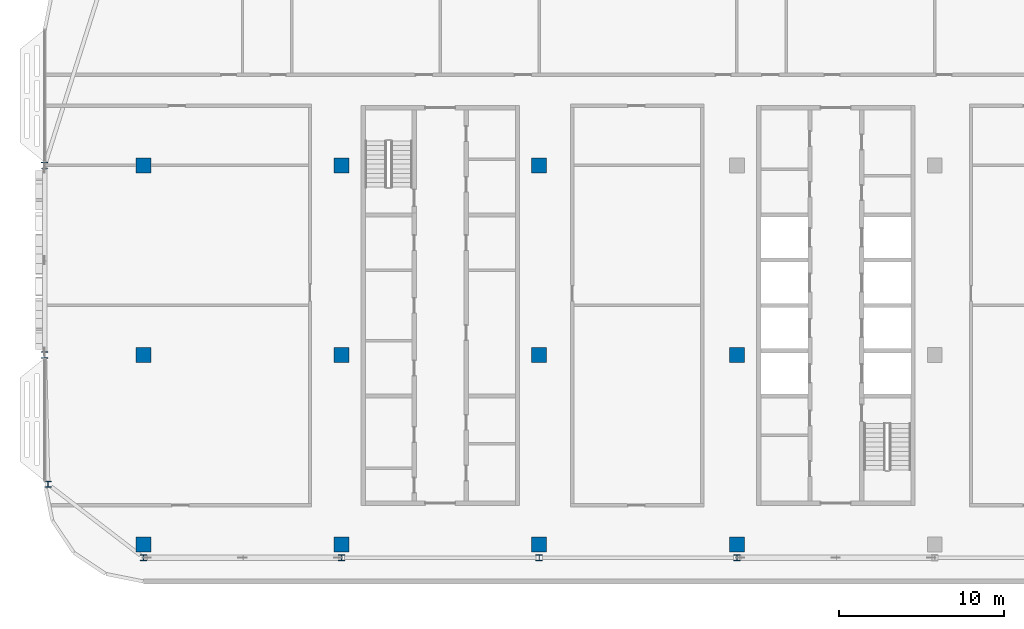
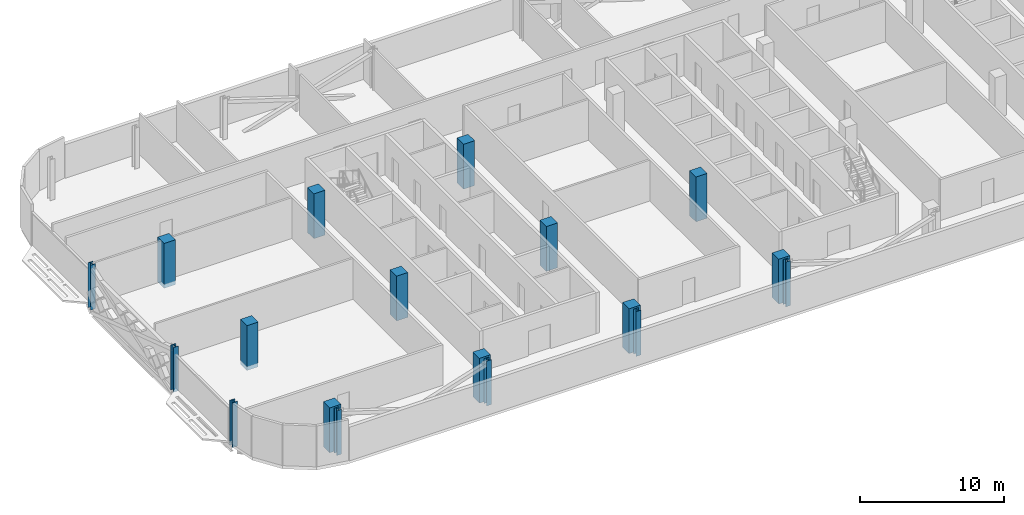
# One storey, part 1 of 28: 18 columns.
"""IFC4 building model written with IfcOpenShell, lengths in metres."""

from ifc_helpers import new_model, si_unit, direction, frame, origin, origin_2d, place, context, subcontext, project, spatial, rectangle, i_section, extrude, material, material_profile, profile_set, type_object, element, save


model = new_model("IFC4")

# Units and contexts
model_context = context("Model", 3, precision=1e-05, world=origin(), true_north=direction((0.0, 1.0)))
body_context = subcontext(model_context, "Body", "Model", "MODEL_VIEW")
ifc_project = project(units=[si_unit("LENGTHUNIT", "METRE"), si_unit("AREAUNIT", "SQUARE_METRE"), si_unit("VOLUMEUNIT", "CUBIC_METRE"), si_unit("PLANEANGLEUNIT", "RADIAN"), si_unit("MASSUNIT", "GRAM", prefix="KILO")], contexts=[model_context])

# Site, building, storey
site_placement = place(None, origin())
site = spatial("IfcSite", under=ifc_project, at=site_placement, CompositionType="ELEMENT")
building_placement = place(site_placement, origin())
building = spatial("IfcBuilding", under=site, at=building_placement, Name="Mahtab Terrace Research Tower", CompositionType="ELEMENT")
storey_placement = place(building_placement, frame((0.0, 0.0, 267.10009765625)))
storey = spatial("IfcBuildingStorey", under=building, at=storey_placement, Name="L65", CompositionType="ELEMENT", Elevation=267.10009765625)

# Columns
ifc_material_1 = material(Name="Concrete C70/85", Category="concrete")
ifc_material_profile_1 = material_profile(ifc_material_1, rectangle(XDim=0.89990234375, YDim=0.89990234375, at=origin_2d()), Name="RC column 900x900")
ifc_profile_set_1 = profile_set([ifc_material_profile_1], Name="Concrete C70/85")
column_type_1 = type_object("IfcColumnType", Name="RC column 900x900", PredefinedType="COLUMN", material=ifc_profile_set_1)
for number, where, z_axis, x_axis, name in (
    (1, (-42.0, -11.5, -0.340087890625), (0.0, 0.0, 1.0), (1.0, 0.0, 0.0), "Column RC-1A L65"),
    (2, (-42.0, 0.0, -0.340087890625), (0.0, 0.0, 1.0), (1.0, 0.0, 0.0), "Column RC-1B L65"),
    (3, (-42.0, 11.5, -0.340087890625), (0.0, 0.0, 1.0), (1.0, 0.0, 0.0), "Column RC-1C L65"),
    (4, (-30.0, -11.5, -0.340087890625), (0.0, 0.0, 1.0), (1.0, 0.0, 0.0), "Column RC-2A L65"),
    (5, (-30.0, 0.0, -0.340087890625), (0.0, 0.0, 1.0), (1.0, 0.0, 0.0), "Column RC-2B L65"),
    (6, (-30.0, 11.5, -0.340087890625), (0.0, 0.0, 1.0), (1.0, 0.0, 0.0), "Column RC-2C L65"),
    (7, (-18.0, -11.5, -0.340087890625), (0.0, 0.0, 1.0), (1.0, 0.0, 0.0), "Column RC-3A L65"),
    (8, (-18.0, 0.0, -0.340087890625), (0.0, 0.0, 1.0), (1.0, 0.0, 0.0), "Column RC-3B L65"),
    (9, (-18.0, 11.5, -0.340087890625), (0.0, 0.0, 1.0), (1.0, 0.0, 0.0), "Column RC-3C L65"),
    (10, (-6.0, -11.5, -0.340087890625), (0.0, 0.0, 1.0), (1.0, 0.0, 0.0), "Column RC-4A L65"),
    (11, (-6.0, 0.0, -0.340087890625), (0.0, 0.0, 1.0), (1.0, 0.0, 0.0), "Column RC-4B L65"),
):
    element("IfcColumn", number, at=place(storey_placement, frame(where, z_axis=z_axis, x_axis=x_axis)), inside=storey, type_object=column_type_1, Name=name, PredefinedType="COLUMN", context=body_context, shape_type="SweptSolid", body=[
        extrude(rectangle(XDim=0.89990234375, YDim=0.89990234375, at=origin_2d()), origin(), (0.0, 0.0, 1.0), 3.800048828125),
    ])
ifc_material_2 = material(Name="Steel ASTM A992 Gr 50", Category="steel")
ifc_material_profile_2 = material_profile(ifc_material_2, i_section(OverallWidth=0.393798828125, OverallDepth=0.3759765625, WebThickness=0.017333984375, FlangeThickness=0.027587890625, at=origin_2d()), Name="W14X145")
ifc_profile_set_2 = profile_set([ifc_material_profile_2], Name="Steel ASTM A992 Gr 50")
column_type_2 = type_object("IfcColumnType", Name="W14x145 column CS14145", PredefinedType="COLUMN", material=ifc_profile_set_2)
for number, where, z_axis, x_axis, name in (
    (12, (-48.0, 11.5, -0.340087890625), (0.0, 0.0, 1.0), (1.0, 0.0, 0.0), "Column SC-009 L65"),
    (13, (-48.0, 0.0, -0.340087890625), (0.0, 0.0, 1.0), (1.0, 0.0, 0.0), "Column SC-010 L65"),
    (14, (-47.798095703125, -7.847900390625, -0.340087890625), (0.0, 0.0, 1.0), (1.0, 0.0, 0.0), "Column SC-080 L65"),
    (15, (-42.0, -12.306884765625, -0.340087890625), (0.0, 0.0, 1.0), (1.0, 0.0, 0.0), "Column SC-081 L65"),
    (16, (-30.0, -12.306884765625, -0.340087890625), (0.0, 0.0, 1.0), (1.0, 0.0, 0.0), "Column SC-082 L65"),
    (17, (-18.0, -12.306884765625, -0.340087890625), (0.0, 0.0, 1.0), (1.0, 0.0, 0.0), "Column SC-083 L65"),
    (18, (-6.0, -12.306884765625, -0.340087890625), (0.0, 0.0, 1.0), (1.0, 0.0, 0.0), "Column SC-084 L65"),
):
    element("IfcColumn", number, at=place(storey_placement, frame(where, z_axis=z_axis, x_axis=x_axis)), inside=storey, type_object=column_type_2, Name=name, PredefinedType="COLUMN", context=body_context, shape_type="SweptSolid", body=[
        extrude(i_section(OverallWidth=0.393798828125, OverallDepth=0.3759765625, WebThickness=0.017333984375, FlangeThickness=0.027587890625, at=origin_2d()), origin(), (0.0, 0.0, 1.0), 3.800048828125),
    ])

save(model, "model.ifc")
